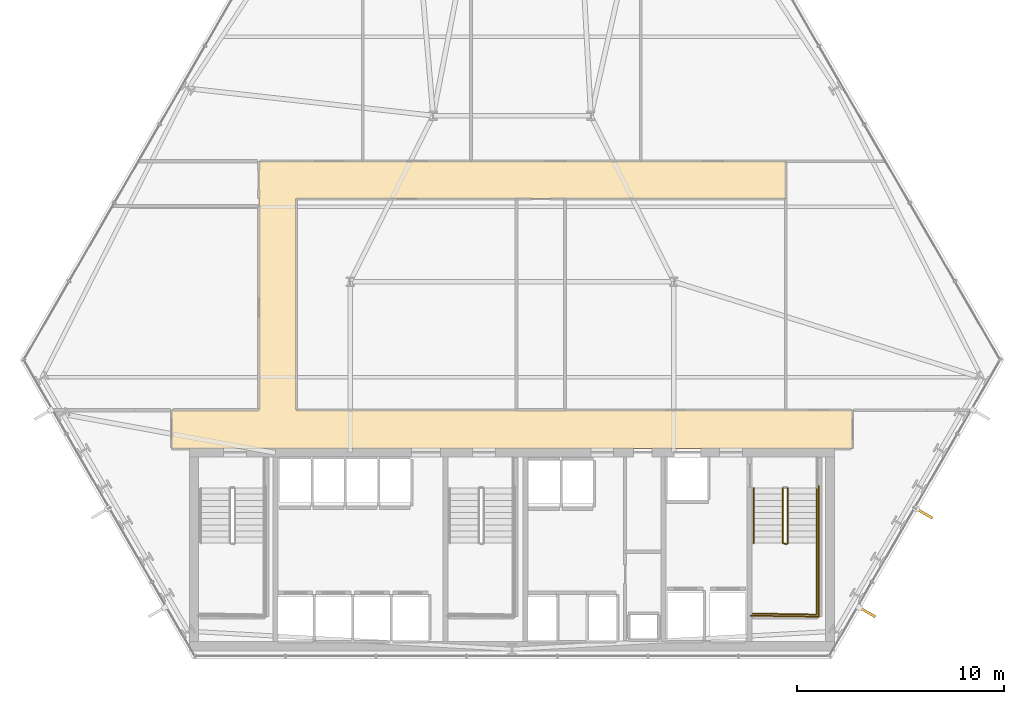
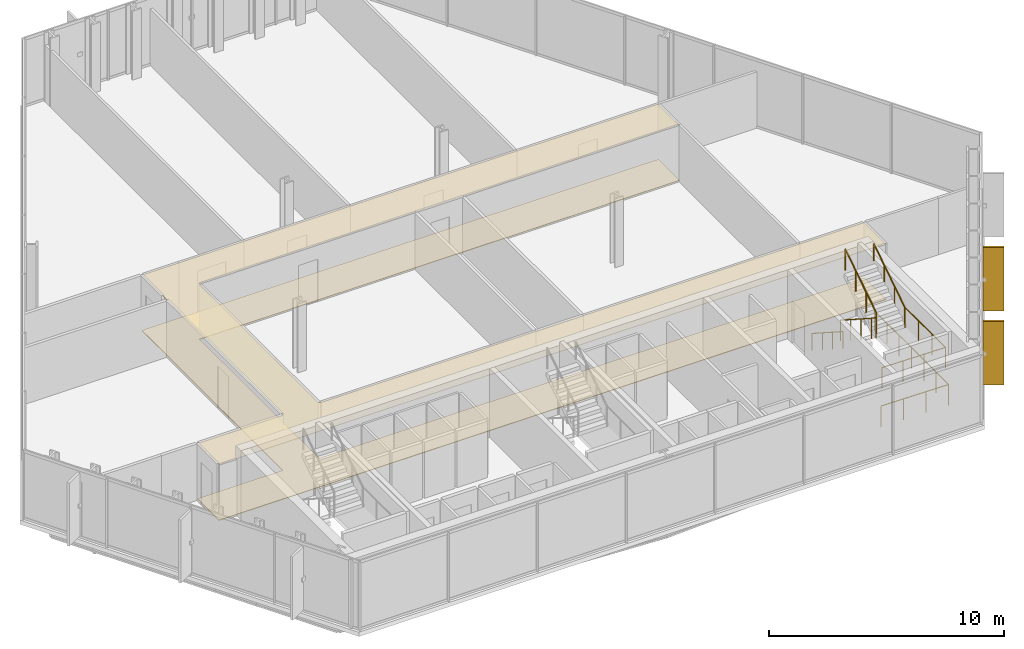
# One storey, part 31 of 33: 6 railings, 2 coverings, 2 shading devices.
"""IFC4 building model written with IfcOpenShell, lengths in metres."""

from ifc_helpers import new_model, si_unit, direction, frame, origin, origin_2d, place, context, subcontext, project, spatial, polyline, rectangle, circle, outline, extrude, material, layer, layer_set, type_object, element, save


model = new_model("IFC4")

# Units and contexts
model_context = context("Model", 3, precision=1e-05, world=origin(), true_north=direction((0.0, 1.0)))
body_context = subcontext(model_context, "Body", "Model", "MODEL_VIEW")
ifc_project = project(units=[si_unit("LENGTHUNIT", "METRE"), si_unit("AREAUNIT", "SQUARE_METRE"), si_unit("VOLUMEUNIT", "CUBIC_METRE"), si_unit("PLANEANGLEUNIT", "RADIAN"), si_unit("MASSUNIT", "GRAM", prefix="KILO")], contexts=[model_context])

# Site, building, storey
site_placement = place(None, origin())
site = spatial("IfcSite", under=ifc_project, at=site_placement, CompositionType="ELEMENT")
building_placement = place(site_placement, origin())
building = spatial("IfcBuilding", under=site, at=building_placement, Name="Ndaravel Arena Tower", CompositionType="ELEMENT")
storey_placement = place(building_placement, frame((0.0, 0.0, 36.0)))
storey = spatial("IfcBuildingStorey", under=building, at=storey_placement, Name="L06", CompositionType="ELEMENT", Elevation=36.0)

# Coverings
ifc_material_1 = material(Name="Acoustic Ceiling Tile", Category="finish")
ifc_layer_1 = layer(ifc_material_1, 0.02490234375)
ifc_layer_set_1 = layer_set([ifc_layer_1], Name="Acoustic Ceiling Tile")
covering_type_1 = type_object("IfcCoveringType", Name="COV-CEIL-AC600", PredefinedType="CEILING", material=ifc_layer_set_1)
covering_1_placement = place(storey_placement, frame((0.0, 0.0, 2.90283203125)))
element("IfcCovering", 1, at=covering_1_placement, inside=storey, type_object=covering_type_1, Name="L06 Corridor Acoustic Ceiling", PredefinedType="CEILING", context=body_context, shape_type="SweptSolid", body=[
    extrude(outline(polyline([(58.39990234375, 17.0), (31.60009765625, 17.0), (31.60009765625, 27.199951171875), (55.199951171875, 27.199951171875), (55.199951171875, 29.0), (31.60009765625, 29.0), (29.800048828125, 29.0), (29.800048828125, 27.199951171875), (29.800048828125, 17.0), (25.60009765625, 17.0), (25.60009765625, 15.14990234375), (58.39990234375, 15.14990234375), (58.39990234375, 17.0)])), origin(), (0.0, 0.0, 1.0), 0.02490234375),
])
ifc_material_2 = material(Name="Terrazzo", Category="stone")
ifc_layer_2 = layer(ifc_material_2, 0.030029296875)
ifc_layer_set_2 = layer_set([ifc_layer_2], Name="Terrazzo")
covering_type_2 = type_object("IfcCoveringType", Name="COV-FLOOR-TERRAZZO", PredefinedType="FLOORING", material=ifc_layer_set_2)
covering_2_placement = place(storey_placement, origin())
element("IfcCovering", 2, at=covering_2_placement, inside=storey, type_object=covering_type_2, Name="L06 Corridor Terrazzo Flooring", PredefinedType="FLOORING", context=body_context, shape_type="SweptSolid", body=[
    extrude(outline(polyline([(58.39990234375, 17.0), (31.60009765625, 17.0), (31.60009765625, 27.199951171875), (55.199951171875, 27.199951171875), (55.199951171875, 29.0), (31.60009765625, 29.0), (29.800048828125, 29.0), (29.800048828125, 27.199951171875), (29.800048828125, 17.0), (25.60009765625, 17.0), (25.60009765625, 15.14990234375), (58.39990234375, 15.14990234375), (58.39990234375, 17.0)])), origin(), (0.0, 0.0, 1.0), 0.030029296875),
])

# Railings
ifc_material_3 = material(Name="Steel S355", Category="steel")
ifc_layer_3 = layer(ifc_material_3, 0.06005859375)
ifc_layer_set_3 = layer_set([ifc_layer_3], Name="Steel S355")
railing_type_1 = type_object("IfcRailingType", Name="RAIL-STAIR-GD1100", PredefinedType="GUARDRAIL", material=ifc_layer_set_3)
railing_1_placement = place(storey_placement, frame((55.050048828125, 13.25, 0.18994140625)))
element("IfcRailing", 3, at=railing_1_placement, inside=storey, type_object=railing_type_1, Name="L06 ST-3 stair guard 1", PredefinedType="GUARDRAIL", context=body_context, shape_type="SweptSolid", body=[
    extrude(circle(Radius=0.02392578125, at=origin_2d()), frame((0.0, 0.0, 1.076171875), z_axis=(0.0, -0.840723540582, 0.54146461409), x_axis=(1.0, 0.0, 0.0)), (0.0, 0.0, 1.0), 3.157958984375),
    extrude(circle(Radius=0.02392578125, at=origin_2d()), frame((0.0, -2.655029296875, 2.7861328125), z_axis=(0.966993988697, -0.254799187253, 0.0), x_axis=(0.254799187253, 0.966993988697, 0.0)), (0.0, 0.0, 1.0), 0.196533203125),
    extrude(circle(Radius=0.02099609375, at=origin_2d()), origin(), (0.0, 0.0, 1.0), 1.052001953125),
    extrude(circle(Radius=0.02099609375, at=origin_2d()), frame((0.0, -0.885009765625, 0.570068359375)), (0.0, 0.0, 1.0), 1.052001953125),
    extrude(circle(Radius=0.02099609375, at=origin_2d()), frame((0.0, -1.77001953125, 1.139892578125)), (0.0, 0.0, 1.0), 1.052001953125),
    extrude(circle(Radius=0.02099609375, at=origin_2d()), frame((0.0, -2.655029296875, 1.7099609375)), (0.0, 0.0, 1.0), 1.052001953125),
    extrude(circle(Radius=0.02099609375, at=origin_2d()), frame((0.18994140625, -2.705078125, 1.7099609375)), (0.0, 0.0, 1.0), 1.052001953125),
])
railing_2_placement = place(storey_placement, frame((56.68994140625, 10.594970703125, 1.89990234375)))
element("IfcRailing", 4, at=railing_2_placement, inside=storey, type_object=railing_type_1, Name="L06 ST-3 stair guard 2", PredefinedType="GUARDRAIL", context=body_context, shape_type="SweptSolid", body=[
    extrude(circle(Radius=0.02392578125, at=origin_2d()), frame((0.0, 0.0, 1.076171875), z_axis=(0.0, -1.0, 0.0), x_axis=(1.0, 0.0, 0.0)), (0.0, 0.0, 1.0), 3.445068359375),
    extrude(circle(Radius=0.02392578125, at=origin_2d()), frame((0.0, -3.445068359375, 1.076171875), z_axis=(-0.999868840623, 0.016195726322, 0.0), x_axis=(-0.016195726322, -0.999868840623, 0.0)), (0.0, 0.0, 1.0), 3.09033203125),
    extrude(circle(Radius=0.02099609375, at=origin_2d()), origin(), (0.0, 0.0, 1.0), 1.052001953125),
    extrude(circle(Radius=0.02099609375, at=origin_2d()), frame((0.0, -1.1484375, 0.0)), (0.0, 0.0, 1.0), 1.052001953125),
    extrude(circle(Radius=0.02099609375, at=origin_2d()), frame((0.0, -2.296630859375, 0.0)), (0.0, 0.0, 1.0), 1.052001953125),
    extrude(circle(Radius=0.02099609375, at=origin_2d()), frame((0.0, -3.445068359375, 0.0)), (0.0, 0.0, 1.0), 1.052001953125),
    extrude(circle(Radius=0.02099609375, at=origin_2d()), frame((-1.030029296875, -3.428466796875, 0.0)), (0.0, 0.0, 1.0), 1.052001953125),
    extrude(circle(Radius=0.02099609375, at=origin_2d()), frame((-2.059814453125, -3.41162109375, 0.0)), (0.0, 0.0, 1.0), 1.052001953125),
    extrude(circle(Radius=0.02099609375, at=origin_2d()), frame((-3.08984375, -3.39501953125, 0.0)), (0.0, 0.0, 1.0), 1.052001953125),
])
railing_3_placement = place(storey_placement, frame((55.2900390625, 10.594970703125, 2.090087890625)))
element("IfcRailing", 5, at=railing_3_placement, inside=storey, type_object=railing_type_1, Name="L06 ST-3 stair guard 3", PredefinedType="GUARDRAIL", context=body_context, shape_type="SweptSolid", body=[
    extrude(circle(Radius=0.02392578125, at=origin_2d()), frame((0.0, 0.0, 1.076171875), z_axis=(0.0, 0.840723540582, 0.54146461409), x_axis=(-1.0, 0.0, 0.0)), (0.0, 0.0, 1.0), 3.157958984375),
    extrude(circle(Radius=0.02099609375, at=origin_2d()), origin(), (0.0, 0.0, 1.0), 1.052001953125),
    extrude(circle(Radius=0.02099609375, at=origin_2d()), frame((0.0, 0.885009765625, 0.570068359375)), (0.0, 0.0, 1.0), 1.052001953125),
    extrude(circle(Radius=0.02099609375, at=origin_2d()), frame((0.0, 1.77001953125, 1.139892578125)), (0.0, 0.0, 1.0), 1.052001953125),
    extrude(circle(Radius=0.02099609375, at=origin_2d()), frame((0.0, 2.655029296875, 1.7099609375)), (0.0, 0.0, 1.0), 1.052001953125),
])
railing_4_placement = place(storey_placement, frame((56.7900390625, 13.35009765625, 0.0)))
element("IfcRailing", 6, at=railing_4_placement, inside=storey, type_object=railing_type_1, Name="L06 ST-3 stair guard 6", PredefinedType="GUARDRAIL", context=body_context, shape_type="SweptSolid", body=[
    extrude(circle(Radius=0.02392578125, at=origin_2d()), frame((0.0, 0.0, 1.076171875), z_axis=(0.0, -1.0, 0.0), x_axis=(1.0, 0.0, 0.0)), (0.0, 0.0, 1.0), 6.300048828125),
    extrude(circle(Radius=0.02392578125, at=origin_2d()), frame((0.0, -6.300048828125, 1.076171875), z_axis=(-0.99988431412, 0.015210469308, 0.0), x_axis=(-0.015210469308, -0.99988431412, 0.0)), (0.0, 0.0, 1.0), 3.29052734375),
    extrude(circle(Radius=0.02099609375, at=origin_2d()), origin(), (0.0, 0.0, 1.0), 1.052001953125),
    extrude(circle(Radius=0.02099609375, at=origin_2d()), frame((0.0, -1.050048828125, 0.0)), (0.0, 0.0, 1.0), 1.052001953125),
    extrude(circle(Radius=0.02099609375, at=origin_2d()), frame((0.0, -2.10009765625, 0.0)), (0.0, 0.0, 1.0), 1.052001953125),
    extrude(circle(Radius=0.02099609375, at=origin_2d()), frame((0.0, -3.14990234375, 0.0)), (0.0, 0.0, 1.0), 1.052001953125),
    extrude(circle(Radius=0.02099609375, at=origin_2d()), frame((0.0, -4.199951171875, 0.0)), (0.0, 0.0, 1.0), 1.052001953125),
    extrude(circle(Radius=0.02099609375, at=origin_2d()), frame((0.0, -5.25, 0.0)), (0.0, 0.0, 1.0), 1.052001953125),
    extrude(circle(Radius=0.02099609375, at=origin_2d()), frame((0.0, -6.300048828125, 0.0)), (0.0, 0.0, 1.0), 1.052001953125),
    extrude(circle(Radius=0.02099609375, at=origin_2d()), frame((-1.0966796875, -6.283447265625, 0.0)), (0.0, 0.0, 1.0), 1.052001953125),
    extrude(circle(Radius=0.02099609375, at=origin_2d()), frame((-2.193359375, -6.2666015625, 0.0)), (0.0, 0.0, 1.0), 1.052001953125),
    extrude(circle(Radius=0.02099609375, at=origin_2d()), frame((-3.2900390625, -6.25, 0.0)), (0.0, 0.0, 1.0), 1.052001953125),
])
ifc_material_4 = material(Name="Steel S355", Category="steel")
ifc_layer_4 = layer(ifc_material_4, 0.050048828125)
ifc_layer_set_4 = layer_set([ifc_layer_4], Name="Steel S355")
railing_type_2 = type_object("IfcRailingType", Name="RAIL-STAIR-HR920", PredefinedType="HANDRAIL", material=ifc_layer_set_4)
railing_5_placement = place(storey_placement, frame((53.64990234375, 13.25, 0.18994140625)))
element("IfcRailing", 7, at=railing_5_placement, inside=storey, type_object=railing_type_2, Name="L06 ST-3 stair handrail 1", PredefinedType="HANDRAIL", context=body_context, shape_type="SweptSolid", body=[
    extrude(circle(Radius=0.02392578125, at=origin_2d()), frame((0.0, 0.0, 0.8759765625), z_axis=(0.0, -0.840723540582, 0.54146461409), x_axis=(1.0, 0.0, 0.0)), (0.0, 0.0, 1.0), 3.157958984375),
    extrude(circle(Radius=0.02099609375, at=origin_2d()), origin(), (0.0, 0.0, 1.0), 0.851806640625),
    extrude(circle(Radius=0.02099609375, at=origin_2d()), frame((0.0, -0.885009765625, 0.570068359375)), (0.0, 0.0, 1.0), 0.851806640625),
    extrude(circle(Radius=0.02099609375, at=origin_2d()), frame((0.0, -1.77001953125, 1.139892578125)), (0.0, 0.0, 1.0), 0.851806640625),
    extrude(circle(Radius=0.02099609375, at=origin_2d()), frame((0.0, -2.655029296875, 1.7099609375)), (0.0, 0.0, 1.0), 0.851806640625),
])
railing_6_placement = place(storey_placement, frame((56.68994140625, 10.594970703125, 2.090087890625)))
element("IfcRailing", 8, at=railing_6_placement, inside=storey, type_object=railing_type_2, Name="L06 ST-3 stair handrail 2", PredefinedType="HANDRAIL", context=body_context, shape_type="SweptSolid", body=[
    extrude(circle(Radius=0.02392578125, at=origin_2d()), frame((0.0, 0.0, 0.8759765625), z_axis=(0.0, 0.840723540582, 0.54146461409), x_axis=(-1.0, 0.0, 0.0)), (0.0, 0.0, 1.0), 3.157958984375),
    extrude(circle(Radius=0.02099609375, at=origin_2d()), origin(), (0.0, 0.0, 1.0), 0.851806640625),
    extrude(circle(Radius=0.02099609375, at=origin_2d()), frame((0.0, 0.885009765625, 0.570068359375)), (0.0, 0.0, 1.0), 0.851806640625),
    extrude(circle(Radius=0.02099609375, at=origin_2d()), frame((0.0, 1.77001953125, 1.139892578125)), (0.0, 0.0, 1.0), 0.851806640625),
    extrude(circle(Radius=0.02099609375, at=origin_2d()), frame((0.0, 2.655029296875, 1.7099609375)), (0.0, 0.0, 1.0), 0.851806640625),
])

# Shading devices
ifc_material_5 = material(Name="Masonry", Category="masonry")
shading_device_type = type_object("IfcShadingDeviceType", Name="SHD-MAZERAS-FIN", PredefinedType="SHUTTER", material=ifc_material_5)
for number, where, z_axis, x_axis, name in (
    (9, (59.123779296875, 7.271240234375, 0.14990234375), (0.0, 0.0, 1.0), (0.866025403784, -0.5, 0.0), "L06 Mazeras Stone Solar Fin E2.1"),
    (10, (61.8701171875, 12.028076171875, 0.14990234375), (0.0, 0.0, 1.0), (0.866025403784, -0.5, 0.0), "L06 Mazeras Stone Solar Fin E2.2"),
):
    element("IfcShadingDevice", number, at=place(storey_placement, frame(where, z_axis=z_axis, x_axis=x_axis)), inside=storey, type_object=shading_device_type, Name=name, PredefinedType="SHUTTER", context=body_context, shape_type="SweptSolid", body=[
        extrude(rectangle(XDim=0.89990234375, YDim=0.1201171875, at=origin_2d()), origin(), (0.0, 0.0, 1.0), 3.280029296875),
    ])

save(model, "model.ifc")
